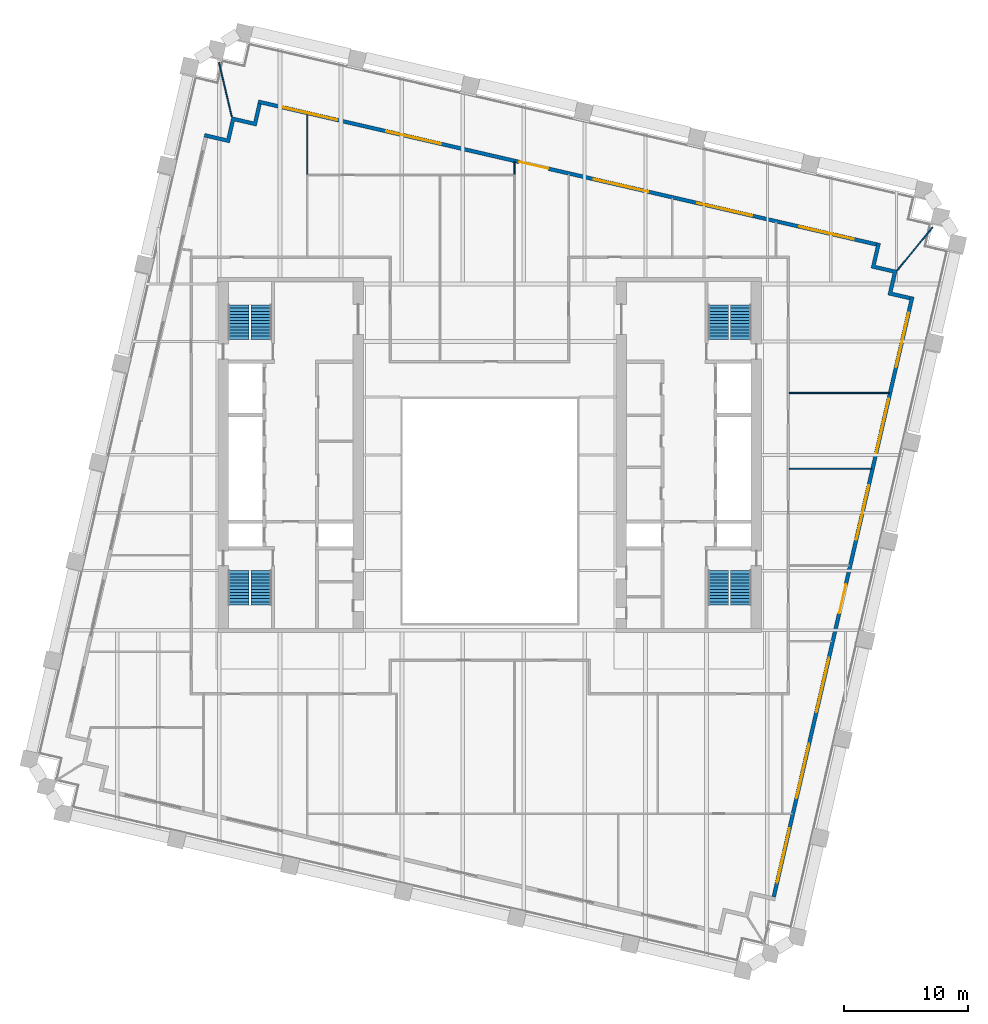
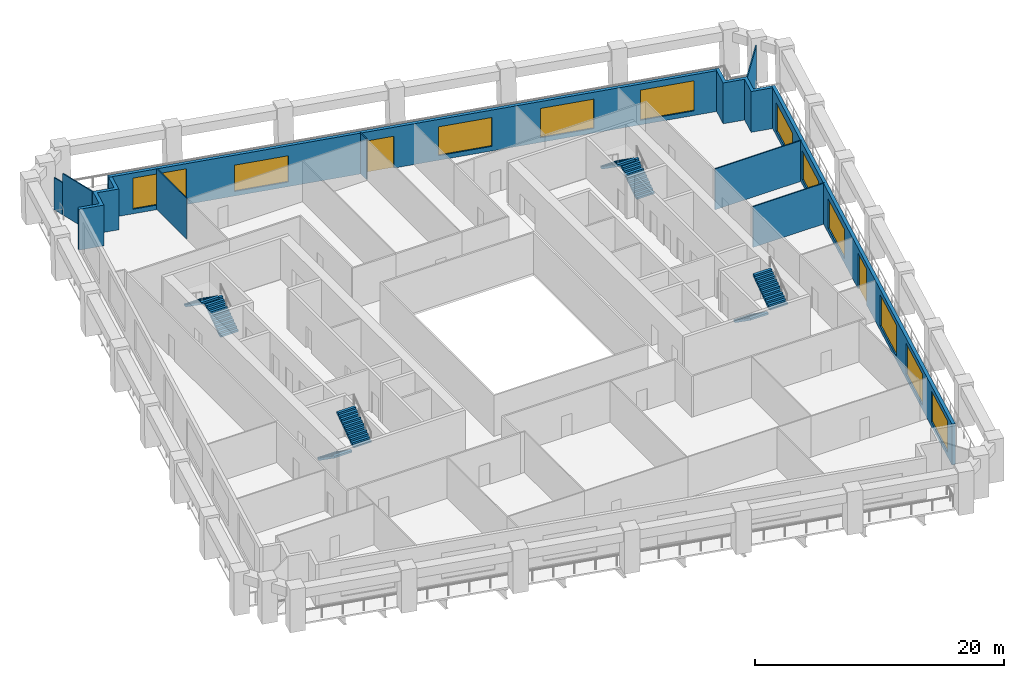
# One storey, part 8 of 9: 11 walls, 11 windows, 8 stair flights, 2 doors, 13 openings, 4 elements without a shape of their own.
"""IFC4 building model written with IfcOpenShell, lengths in metres."""

import ifcopenshell
import ifcopenshell.guid

model = None  # the IFC model being written
_history = None  # IfcOwnerHistory: only IFC2X3 demands one
_inside = {}  # id of a spatial element -> (the spatial element, [elements in it])
_under = {}  # id of a project, library or spatial element -> (it, [spatial elements below it])
_declared = {}  # id of a project -> (the project, [libraries it declares])
_typed = {}  # id of a type object -> (the type object, [elements of that type])
_made_of = {}  # id of a material, layer set ... -> (it, [elements and type objects made of it])


def new_model(schema):
    """Start an empty IFC model of exactly this schema.

    Asked for "IFC4X3", IfcOpenShell would pick the latest addendum, in which some entities
    have other attributes; the version numbers below select the first issue.
    IFC2X3 requires an IfcOwnerHistory on every rooted entity: one is made here for all.
    """
    global model, _history
    if schema == "IFC4X3":
        model = ifcopenshell.file(schema_version=(4, 3, 0, 0))
    else:
        model = ifcopenshell.file(schema=schema)
    _inside.clear()
    _under.clear()
    _declared.clear()
    _typed.clear()
    _made_of.clear()
    _history = None
    if model.schema == "IFC2X3":
        org = make("IfcOrganization", Name="unknown")
        user = make(
            "IfcPersonAndOrganization",
            ThePerson=make("IfcPerson", FamilyName="unknown"),
            TheOrganization=org,
        )
        app = make(
            "IfcApplication",
            ApplicationDeveloper=org,
            Version="unknown",
            ApplicationFullName="unknown",
            ApplicationIdentifier="unknown",
        )
        _history = make(
            "IfcOwnerHistory",
            OwningUser=user,
            OwningApplication=app,
            ChangeAction="ADDED",
            CreationDate=0,
        )
    return model


def make(cls, **values):
    """One entity of the class cls with the attributes given. An attribute that is None is left unset."""
    return model.create_entity(
        cls, **{name: value for name, value in values.items() if value is not None}
    )


def rooted(cls, **values):
    """An entity with a GlobalId (a new one), such as an element, a storey or a relation."""
    return make(cls, GlobalId=ifcopenshell.guid.new(), OwnerHistory=_history, **values)


def si_unit(unit_type, name, prefix=None):
    """IfcSIUnit, for example si_unit("LENGTHUNIT", "METRE", prefix="MILLI")."""
    return make("IfcSIUnit", UnitType=unit_type, Prefix=prefix, Name=name)


def assignment(units):
    """IfcUnitAssignment: the units of a project."""
    return None if units is None else make("IfcUnitAssignment", Units=units)


def point(xyz):
    """IfcCartesianPoint."""
    return None if xyz is None else make("IfcCartesianPoint", Coordinates=xyz)


def direction(xyz):
    """IfcDirection."""
    return None if xyz is None else make("IfcDirection", DirectionRatios=xyz)


def frame(location, z_axis=None, x_axis=None):
    """IfcAxis2Placement3D, a coordinate frame: its origin and axes. An axis left out is left unset."""
    return make(
        "IfcAxis2Placement3D",
        Location=point(location),
        Axis=direction(z_axis),
        RefDirection=direction(x_axis),
    )


def frame_2d(location, x_axis=None):
    """IfcAxis2Placement2D, a coordinate frame in the plane: its origin and x axis."""
    return make(
        "IfcAxis2Placement2D", Location=point(location), RefDirection=direction(x_axis)
    )


def origin():
    """The frame at (0, 0, 0) with its axes left unset."""
    return frame((0.0, 0.0, 0.0))


def place(relative_to, where):
    """IfcLocalPlacement: puts the frame where relative to a parent placement (None: the world)."""
    return make(
        "IfcLocalPlacement", PlacementRelTo=relative_to, RelativePlacement=where
    )


def context(
    kind, dimensions, precision=None, world=None, true_north=None, identifier=None
):
    """IfcGeometricRepresentationContext, for example the 3D "Model" context."""
    return make(
        "IfcGeometricRepresentationContext",
        ContextIdentifier=identifier,
        ContextType=kind,
        CoordinateSpaceDimension=dimensions,
        Precision=precision,
        WorldCoordinateSystem=world,
        TrueNorth=true_north,
    )


def subcontext(parent, identifier, kind, view, scale=None):
    """IfcGeometricRepresentationSubContext, for example "Body" below "Model"."""
    return make(
        "IfcGeometricRepresentationSubContext",
        ContextIdentifier=identifier,
        ContextType=kind,
        ParentContext=parent,
        TargetScale=scale,
        TargetView=view,
    )


def project(units=None, contexts=None):
    """IfcProject with its units and contexts."""
    return rooted(
        "IfcProject",
        Name="project",
        RepresentationContexts=contexts,
        UnitsInContext=assignment(units),
    )


def spatial(cls, under=None, at=None, **own):
    """A site, building, storey or space (cls), placed at a placement, below another one or the project."""
    s = rooted(cls, ObjectPlacement=at, **own)
    if under is not None:
        _under.setdefault(under.id(), (under, []))[1].append(s)
    return s


def polyline(points):
    """IfcPolyline through the points."""
    return make("IfcPolyline", Points=[point(p) for p in points])


def profile(cls, at=None, kind="AREA", **sizes):
    """A parametric profile (cls). Its sizes go by their IFC names, for example OverallWidth=200.0."""
    return make(cls, ProfileType=kind, Position=at, **sizes)


def rectangle(**sizes):
    """IfcRectangleProfileDef."""
    return profile("IfcRectangleProfileDef", **sizes)


def outline(outer, holes=None, kind="AREA"):
    """IfcArbitraryClosedProfileDef: a profile drawn as a closed curve; with holes, ...WithVoids."""
    if holes is None:
        return make("IfcArbitraryClosedProfileDef", ProfileType=kind, OuterCurve=outer)
    return make(
        "IfcArbitraryProfileDefWithVoids",
        ProfileType=kind,
        OuterCurve=outer,
        InnerCurves=holes,
    )


def extrude(swept, where, along, depth):
    """IfcExtrudedAreaSolid: the profile swept, set in the frame where, extruded along a direction by depth."""
    return make(
        "IfcExtrudedAreaSolid",
        SweptArea=swept,
        Position=where,
        ExtrudedDirection=direction(along),
        Depth=depth,
    )


def shape(context_of_items, identifier, shape_type, items):
    """IfcShapeRepresentation: the items that make up one representation, for example the "Body"."""
    return make(
        "IfcShapeRepresentation",
        ContextOfItems=context_of_items,
        RepresentationIdentifier=identifier,
        RepresentationType=shape_type,
        Items=items,
    )


def material(Name=None, Category=None):
    """IfcMaterial."""
    return make("IfcMaterial", Name=Name, Category=Category)


def layer(
    of_material, thickness, ventilated=None, Name=None, Category=None, Priority=None
):
    """IfcMaterialLayer: one layer of a wall or slab, of a material (None: an air gap)."""
    return make(
        "IfcMaterialLayer",
        Material=of_material,
        LayerThickness=thickness,
        IsVentilated=ventilated,
        Name=Name,
        Category=Category,
        Priority=Priority,
    )


def layer_set(layers, Name=None):
    """IfcMaterialLayerSet."""
    return make("IfcMaterialLayerSet", MaterialLayers=layers, LayerSetName=Name)


def made_of(thing, what):
    """Note that an element or type object is made of a material, layer set ...; save() writes the relation."""
    if what is not None:
        _made_of.setdefault(what.id(), (what, []))[1].append(thing)
    return thing


def type_object(cls, material=None, **own):
    """A type object (cls), such as IfcWallType, which elements share."""
    return made_of(rooted(cls, **own), material)


def element(
    cls,
    number,
    at=None,
    inside=None,
    cuts=None,
    type_object=None,
    material=None,
    context=None,
    identifier="Body",
    shape_type=None,
    held_by="IfcProductDefinitionShape",
    body=None,
    shapes=None,
    **own,
):
    """One element of the class cls, such as IfcWall. Its Tag is "e" and its number.

    at: its placement. inside: the storey or other place that contains it. cuts: it is an
    opening in that element (IfcRelVoidsElement). A single representation is given by context,
    identifier, shape_type and body (its items); several are given by shapes. held_by: the class
    of the entity that holds the representations. save() writes the other relations.
    """
    e = rooted(cls, Tag="e%d" % number, ObjectPlacement=at, **own)
    if body is not None:
        shapes = [shape(context, identifier, shape_type, body)]
    if shapes is not None:
        e.Representation = make(held_by, Representations=shapes)
    if inside is not None:
        _inside.setdefault(inside.id(), (inside, []))[1].append(e)
    if cuts is not None:
        rooted(
            "IfcRelVoidsElement", RelatingBuildingElement=cuts, RelatedOpeningElement=e
        )
    if type_object is not None:
        _typed.setdefault(type_object.id(), (type_object, []))[1].append(e)
    return made_of(e, material)


def fill(opening, filler):
    """IfcRelFillsElement: the door or window that sits in an opening."""
    return rooted(
        "IfcRelFillsElement",
        RelatingOpeningElement=opening,
        RelatedBuildingElement=filler,
    )


def aggregate(whole, parts):
    """IfcRelAggregates: a whole, such as a stair, and the parts it consists of."""
    return rooted("IfcRelAggregates", RelatingObject=whole, RelatedObjects=parts)


def save(model, path):
    """Write the relations noted so far, then the file.

    IfcRelAggregates (storeys below a building ...), IfcRelContainedInSpatialStructure (elements
    in a storey), IfcRelDefinesByType, IfcRelAssociatesMaterial and IfcRelDeclares: one each for
    every whole, place, type object, material and project.
    """
    for whole, parts in _under.values():
        aggregate(whole, parts)
    for where, things in _inside.values():
        rooted(
            "IfcRelContainedInSpatialStructure",
            RelatedElements=things,
            RelatingStructure=where,
        )
    for kind, things in _typed.values():
        rooted("IfcRelDefinesByType", RelatedObjects=things, RelatingType=kind)
    for what, things in _made_of.values():
        rooted("IfcRelAssociatesMaterial", RelatedObjects=things, RelatingMaterial=what)
    for by, libraries in _declared.values():
        rooted("IfcRelDeclares", RelatingContext=by, RelatedDefinitions=libraries)
    model.write(path)


model = new_model("IFC4")

# Units and contexts
model_context = context("Model", 3, precision=1e-05, world=origin(), true_north=direction((0.0, 1.0)))
body_context = subcontext(model_context, "Body", "Model", "MODEL_VIEW")
ifc_project = project(units=[si_unit("LENGTHUNIT", "METRE"), si_unit("AREAUNIT", "SQUARE_METRE"), si_unit("VOLUMEUNIT", "CUBIC_METRE"), si_unit("PLANEANGLEUNIT", "RADIAN"), si_unit("MASSUNIT", "GRAM", prefix="KILO")], contexts=[model_context])

# Site, building, storey
site_placement = place(None, origin())
site = spatial("IfcSite", under=ifc_project, at=site_placement, CompositionType="ELEMENT")
building_placement = place(site_placement, origin())
building = spatial("IfcBuilding", under=site, at=building_placement, Name="Ogive Exchange Tower", CompositionType="ELEMENT")
storey_placement = place(building_placement, frame((0.0, 0.0, 126.60009765625)))
storey = spatial("IfcBuildingStorey", under=building, at=storey_placement, Name="L27", CompositionType="ELEMENT", Elevation=126.60009765625)

# Wall, openings, door, windows
ifc_material_1 = material(Name="Precast concrete C40/50", Category="concrete")
ifc_layer_1 = layer(ifc_material_1, 0.300048828125)
ifc_layer_set_1 = layer_set([ifc_layer_1], Name="Limestone-faced wall 300")
wall_type_1 = type_object("IfcWallType", Name="Limestone-faced wall 300", PredefinedType="STANDARD", material=ifc_layer_set_1)
wall_1_placement = place(storey_placement, frame((22.8203125, -24.015625, 0.0), z_axis=(0.0, 0.0, 1.0), x_axis=(0.224953880882, 0.974369412223, 0.0)))
wall_1 = element("IfcWall", 1, at=wall_1_placement, inside=storey, type_object=wall_type_1, Name="External wall E2", PredefinedType="STANDARD", context=body_context, shape_type="SweptSolid", body=[
    extrude(rectangle(XDim=49.500244140625, YDim=0.300048828125, at=frame_2d((24.75, 0.0))), origin(), (0.0, 0.0, 1.0), 4.0),
])
opening_1_placement = place(wall_1_placement, frame((1.156982421875, 0.0, 0.449951171875)))
opening_1 = element("IfcOpeningElement", 2, at=opening_1_placement, cuts=wall_1, Name="Opening W1", PredefinedType="OPENING", context=body_context, shape_type="SweptSolid", body=[
    extrude(rectangle(XDim=4.5, YDim=3.050048828125, at=frame_2d((2.25, 1.52490234375))), frame((0.0, 0.159912109375, 0.0), z_axis=(0.0, -1.0, 0.0), x_axis=(1.0, 0.0, 0.0)), (0.0, 0.0, 1.0), 0.320068359375),
])
opening_2_placement = place(wall_1_placement, frame((8.121337890625, 0.0, 0.449951171875)))
opening_2 = element("IfcOpeningElement", 3, at=opening_2_placement, cuts=wall_1, Name="Opening W1", PredefinedType="OPENING", context=body_context, shape_type="SweptSolid", body=[
    extrude(rectangle(XDim=4.5, YDim=3.050048828125, at=frame_2d((2.25, 1.52490234375))), frame((0.0, 0.159912109375, 0.0), z_axis=(0.0, -1.0, 0.0), x_axis=(1.0, 0.0, 0.0)), (0.0, 0.0, 1.0), 0.320068359375),
])
opening_3_placement = place(wall_1_placement, frame((15.235595703125, 0.0, 0.449951171875)))
opening_3 = element("IfcOpeningElement", 4, at=opening_3_placement, cuts=wall_1, Name="Opening W1", PredefinedType="OPENING", context=body_context, shape_type="SweptSolid", body=[
    extrude(rectangle(XDim=4.5, YDim=3.050048828125, at=frame_2d((2.25, 1.52490234375))), frame((0.0, 0.159912109375, 0.0), z_axis=(0.0, -1.0, 0.0), x_axis=(1.0, 0.0, 0.0)), (0.0, 0.0, 1.0), 0.320068359375),
])
opening_4_placement = place(wall_1_placement, frame((23.39990234375, 0.0, 0.0)))
opening_4 = element("IfcOpeningElement", 5, at=opening_4_placement, cuts=wall_1, Name="Opening D1", PredefinedType="OPENING", context=body_context, shape_type="SweptSolid", body=[
    extrude(rectangle(XDim=2.39990234375, YDim=3.5, at=frame_2d((1.199951171875, 1.75))), frame((0.0, 0.159912109375, 0.0), z_axis=(0.0, -1.0, 0.0), x_axis=(1.0, 0.0, 0.0)), (0.0, 0.0, 1.0), 0.320068359375),
])
opening_5_placement = place(wall_1_placement, frame((29.464111328125, 0.0, 0.449951171875)))
opening_5 = element("IfcOpeningElement", 6, at=opening_5_placement, cuts=wall_1, Name="Opening W1D", PredefinedType="OPENING", context=body_context, shape_type="SweptSolid", body=[
    extrude(rectangle(XDim=4.5, YDim=2.875, at=frame_2d((2.25, 1.4375))), frame((0.0, 0.159912109375, 0.0), z_axis=(0.0, -1.0, 0.0), x_axis=(1.0, 0.0, 0.0)), (0.0, 0.0, 1.0), 0.320068359375),
])
opening_6_placement = place(wall_1_placement, frame((36.57861328125, 0.0, 0.449951171875)))
opening_6 = element("IfcOpeningElement", 7, at=opening_6_placement, cuts=wall_1, Name="Opening W1E", PredefinedType="OPENING", context=body_context, shape_type="SweptSolid", body=[
    extrude(rectangle(XDim=4.5, YDim=2.824951171875, at=frame_2d((2.25, 1.41259765625))), frame((0.0, 0.159912109375, 0.0), z_axis=(0.0, -1.0, 0.0), x_axis=(1.0, 0.0, 0.0)), (0.0, 0.0, 1.0), 0.320068359375),
])
opening_7_placement = place(wall_1_placement, frame((43.69287109375, 0.0, 0.449951171875)))
opening_7 = element("IfcOpeningElement", 8, at=opening_7_placement, cuts=wall_1, Name="Opening W1H", PredefinedType="OPENING", context=body_context, shape_type="SweptSolid", body=[
    extrude(rectangle(XDim=4.5, YDim=2.75, at=frame_2d((2.25, 1.375))), frame((0.0, 0.159912109375, 0.0), z_axis=(0.0, -1.0, 0.0), x_axis=(1.0, 0.0, 0.0)), (0.0, 0.0, 1.0), 0.320068359375),
])
ifc_material_2 = material(Name="Clear glass in bronze frame", Category="glass")
door_type_1 = type_object("IfcDoorType", Name="Sliding loggia door 2400 x 3500", OperationType="DOUBLE_DOOR_SLIDING", PredefinedType="DOOR", material=ifc_material_2)
door_1_placement = place(opening_4_placement, origin())
door_1 = element("IfcDoor", 9, at=door_1_placement, inside=storey, type_object=door_type_1, Name="Loggia door E03", OperationType="DOUBLE_DOOR_SLIDING", OverallHeight=3.5, OverallWidth=2.39990234375, PredefinedType="DOOR", context=body_context, shape_type="SweptSolid", body=[
    extrude(rectangle(XDim=2.39990234375, YDim=3.5, at=frame_2d((1.199951171875, 1.75))), frame((0.0, 0.02490234375, 0.0), z_axis=(0.0, -1.0, 0.0), x_axis=(1.0, 0.0, 0.0)), (0.0, 0.0, 1.0), 0.050048828125),
])
fill(opening_4, door_1)
window_type_1 = type_object("IfcWindowType", Name="Twin lancet window 4500 x 2750", PartitioningType="DOUBLE_PANEL_VERTICAL", PredefinedType="WINDOW", material=ifc_material_2)
window_1_placement = place(opening_7_placement, origin())
window_1 = element("IfcWindow", 10, at=window_1_placement, inside=storey, type_object=window_type_1, Name="Window E06", OverallHeight=2.75, OverallWidth=4.5, PartitioningType="DOUBLE_PANEL_VERTICAL", PredefinedType="WINDOW", context=body_context, shape_type="SweptSolid", body=[
    extrude(rectangle(XDim=4.5, YDim=2.75, at=frame_2d((2.25, 1.375))), frame((0.0, 0.030029296875, 0.0), z_axis=(0.0, -1.0, 0.0), x_axis=(1.0, 0.0, 0.0)), (0.0, 0.0, 1.0), 0.06005859375),
])
fill(opening_7, window_1)
window_type_2 = type_object("IfcWindowType", Name="Twin lancet window 4500 x 2825", PartitioningType="DOUBLE_PANEL_VERTICAL", PredefinedType="WINDOW", material=ifc_material_2)
window_2_placement = place(opening_6_placement, origin())
window_2 = element("IfcWindow", 11, at=window_2_placement, inside=storey, type_object=window_type_2, Name="Window E05", OverallHeight=2.824951171875, OverallWidth=4.5, PartitioningType="DOUBLE_PANEL_VERTICAL", PredefinedType="WINDOW", context=body_context, shape_type="SweptSolid", body=[
    extrude(rectangle(XDim=4.5, YDim=2.824951171875, at=frame_2d((2.25, 1.41259765625))), frame((0.0, 0.030029296875, 0.0), z_axis=(0.0, -1.0, 0.0), x_axis=(1.0, 0.0, 0.0)), (0.0, 0.0, 1.0), 0.06005859375),
])
fill(opening_6, window_2)
window_type_3 = type_object("IfcWindowType", Name="Twin lancet window 4500 x 2875", PartitioningType="DOUBLE_PANEL_VERTICAL", PredefinedType="WINDOW", material=ifc_material_2)
window_3_placement = place(opening_5_placement, origin())
window_3 = element("IfcWindow", 12, at=window_3_placement, inside=storey, type_object=window_type_3, Name="Window E04", OverallHeight=2.875, OverallWidth=4.5, PartitioningType="DOUBLE_PANEL_VERTICAL", PredefinedType="WINDOW", context=body_context, shape_type="SweptSolid", body=[
    extrude(rectangle(XDim=4.5, YDim=2.875, at=frame_2d((2.25, 1.4375))), frame((0.0, 0.030029296875, 0.0), z_axis=(0.0, -1.0, 0.0), x_axis=(1.0, 0.0, 0.0)), (0.0, 0.0, 1.0), 0.06005859375),
])
fill(opening_5, window_3)
window_type_4 = type_object("IfcWindowType", Name="Twin lancet window 4500 x 3050", PartitioningType="DOUBLE_PANEL_VERTICAL", PredefinedType="WINDOW", material=ifc_material_2)
window_4_placement = place(opening_1_placement, origin())
window_4 = element("IfcWindow", 13, at=window_4_placement, inside=storey, type_object=window_type_4, Name="Window E00", OverallHeight=3.050048828125, OverallWidth=4.5, PartitioningType="DOUBLE_PANEL_VERTICAL", PredefinedType="WINDOW", context=body_context, shape_type="SweptSolid", body=[
    extrude(rectangle(XDim=4.5, YDim=3.050048828125, at=frame_2d((2.25, 1.52490234375))), frame((0.0, 0.030029296875, 0.0), z_axis=(0.0, -1.0, 0.0), x_axis=(1.0, 0.0, 0.0)), (0.0, 0.0, 1.0), 0.06005859375),
])
fill(opening_1, window_4)
window_5_placement = place(opening_2_placement, origin())
window_5 = element("IfcWindow", 14, at=window_5_placement, inside=storey, type_object=window_type_4, Name="Window E01", OverallHeight=3.050048828125, OverallWidth=4.5, PartitioningType="DOUBLE_PANEL_VERTICAL", PredefinedType="WINDOW", context=body_context, shape_type="SweptSolid", body=[
    extrude(rectangle(XDim=4.5, YDim=3.050048828125, at=frame_2d((2.25, 1.52490234375))), frame((0.0, 0.030029296875, 0.0), z_axis=(0.0, -1.0, 0.0), x_axis=(1.0, 0.0, 0.0)), (0.0, 0.0, 1.0), 0.06005859375),
])
fill(opening_2, window_5)
window_6_placement = place(opening_3_placement, origin())
window_6 = element("IfcWindow", 15, at=window_6_placement, inside=storey, type_object=window_type_4, Name="Window E02", OverallHeight=3.050048828125, OverallWidth=4.5, PartitioningType="DOUBLE_PANEL_VERTICAL", PredefinedType="WINDOW", context=body_context, shape_type="SweptSolid", body=[
    extrude(rectangle(XDim=4.5, YDim=3.050048828125, at=frame_2d((2.25, 1.52490234375))), frame((0.0, 0.030029296875, 0.0), z_axis=(0.0, -1.0, 0.0), x_axis=(1.0, 0.0, 0.0)), (0.0, 0.0, 1.0), 0.06005859375),
])
fill(opening_3, window_6)

wall_2_placement = place(storey_placement, frame((31.07763671875, 28.4208984375, 0.0), z_axis=(0.0, 0.0, 1.0), x_axis=(-0.974370456532, 0.224949357493, 0.0)))
wall_2 = element("IfcWall", 16, at=wall_2_placement, inside=storey, type_object=wall_type_1, Name="External wall N3", PredefinedType="STANDARD", context=body_context, shape_type="SweptSolid", body=[
    extrude(rectangle(XDim=51.0, YDim=0.300048828125, at=frame_2d((25.5, 0.0))), origin(), (0.0, 0.0, 1.0), 4.0),
])
opening_8_placement = place(wall_2_placement, frame((1.875, 0.0, 0.449951171875)))
opening_8 = element("IfcOpeningElement", 17, at=opening_8_placement, cuts=wall_2, Name="Opening W1B", PredefinedType="OPENING", context=body_context, shape_type="SweptSolid", body=[
    extrude(rectangle(XDim=4.5, YDim=2.949951171875, at=frame_2d((2.25, 1.47509765625))), frame((0.0, 0.159912109375, 0.0), z_axis=(0.0, -1.0, 0.0), x_axis=(1.0, 0.0, 0.0)), (0.0, 0.0, 1.0), 0.320068359375),
])
opening_9_placement = place(wall_2_placement, frame((10.27490234375, 0.0, 0.449951171875)))
opening_9 = element("IfcOpeningElement", 18, at=opening_9_placement, cuts=wall_2, Name="Opening W1D", PredefinedType="OPENING", context=body_context, shape_type="SweptSolid", body=[
    extrude(rectangle(XDim=4.5, YDim=2.875, at=frame_2d((2.25, 1.4375))), frame((0.0, 0.159912109375, 0.0), z_axis=(0.0, -1.0, 0.0), x_axis=(1.0, 0.0, 0.0)), (0.0, 0.0, 1.0), 0.320068359375),
])
opening_10_placement = place(wall_2_placement, frame((18.824951171875, 0.0, 0.449951171875)))
opening_10 = element("IfcOpeningElement", 19, at=opening_10_placement, cuts=wall_2, Name="Opening W1E", PredefinedType="OPENING", context=body_context, shape_type="SweptSolid", body=[
    extrude(rectangle(XDim=4.5, YDim=2.824951171875, at=frame_2d((2.25, 1.41259765625))), frame((0.0, 0.159912109375, 0.0), z_axis=(0.0, -1.0, 0.0), x_axis=(1.0, 0.0, 0.0)), (0.0, 0.0, 1.0), 0.320068359375),
])
opening_11_placement = place(wall_2_placement, frame((27.074951171875, 0.0, 0.0)))
opening_11 = element("IfcOpeningElement", 20, at=opening_11_placement, cuts=wall_2, Name="Opening D1J", PredefinedType="OPENING", context=body_context, shape_type="SweptSolid", body=[
    extrude(rectangle(XDim=2.39990234375, YDim=3.125, at=frame_2d((1.199951171875, 1.5625))), frame((0.0, 0.159912109375, 0.0), z_axis=(0.0, -1.0, 0.0), x_axis=(1.0, 0.0, 0.0)), (0.0, 0.0, 1.0), 0.320068359375),
])
opening_12_placement = place(wall_2_placement, frame((35.925048828125, 0.0, 0.449951171875)))
opening_12 = element("IfcOpeningElement", 21, at=opening_12_placement, cuts=wall_2, Name="Opening W1M", PredefinedType="OPENING", context=body_context, shape_type="SweptSolid", body=[
    extrude(rectangle(XDim=4.5, YDim=2.574951171875, at=frame_2d((2.25, 1.28759765625))), frame((0.0, 0.159912109375, 0.0), z_axis=(0.0, -1.0, 0.0), x_axis=(1.0, 0.0, 0.0)), (0.0, 0.0, 1.0), 0.320068359375),
])
opening_13_placement = place(wall_2_placement, frame((44.47509765625, 0.0, 0.449951171875)))
opening_13 = element("IfcOpeningElement", 22, at=opening_13_placement, cuts=wall_2, Name="Opening W1", PredefinedType="OPENING", context=body_context, shape_type="SweptSolid", body=[
    extrude(rectangle(XDim=4.5, YDim=3.050048828125, at=frame_2d((2.25, 1.52490234375))), frame((0.0, 0.159912109375, 0.0), z_axis=(0.0, -1.0, 0.0), x_axis=(1.0, 0.0, 0.0)), (0.0, 0.0, 1.0), 0.320068359375),
])
door_type_2 = type_object("IfcDoorType", Name="Sliding loggia door 2400 x 3125", OperationType="DOUBLE_DOOR_SLIDING", PredefinedType="DOOR", material=ifc_material_2)
door_2_placement = place(opening_11_placement, origin())
door_2 = element("IfcDoor", 23, at=door_2_placement, inside=storey, type_object=door_type_2, Name="Loggia door N03", OperationType="DOUBLE_DOOR_SLIDING", OverallHeight=3.125, OverallWidth=2.39990234375, PredefinedType="DOOR", context=body_context, shape_type="SweptSolid", body=[
    extrude(rectangle(XDim=2.39990234375, YDim=3.125, at=frame_2d((1.199951171875, 1.5625))), frame((0.0, 0.02490234375, 0.0), z_axis=(0.0, -1.0, 0.0), x_axis=(1.0, 0.0, 0.0)), (0.0, 0.0, 1.0), 0.050048828125),
])
fill(opening_11, door_2)
window_type_5 = type_object("IfcWindowType", Name="Twin lancet window 4500 x 2575", PartitioningType="DOUBLE_PANEL_VERTICAL", PredefinedType="WINDOW", material=ifc_material_2)
window_7_placement = place(opening_12_placement, origin())
window_7 = element("IfcWindow", 24, at=window_7_placement, inside=storey, type_object=window_type_5, Name="Window N04", OverallHeight=2.574951171875, OverallWidth=4.5, PartitioningType="DOUBLE_PANEL_VERTICAL", PredefinedType="WINDOW", context=body_context, shape_type="SweptSolid", body=[
    extrude(rectangle(XDim=4.5, YDim=2.574951171875, at=frame_2d((2.25, 1.28759765625))), frame((0.0, 0.030029296875, 0.0), z_axis=(0.0, -1.0, 0.0), x_axis=(1.0, 0.0, 0.0)), (0.0, 0.0, 1.0), 0.06005859375),
])
fill(opening_12, window_7)
window_8_placement = place(opening_10_placement, origin())
window_8 = element("IfcWindow", 25, at=window_8_placement, inside=storey, type_object=window_type_2, Name="Window N02", OverallHeight=2.824951171875, OverallWidth=4.5, PartitioningType="DOUBLE_PANEL_VERTICAL", PredefinedType="WINDOW", context=body_context, shape_type="SweptSolid", body=[
    extrude(rectangle(XDim=4.5, YDim=2.824951171875, at=frame_2d((2.25, 1.41259765625))), frame((0.0, 0.030029296875, 0.0), z_axis=(0.0, -1.0, 0.0), x_axis=(1.0, 0.0, 0.0)), (0.0, 0.0, 1.0), 0.06005859375),
])
fill(opening_10, window_8)
window_9_placement = place(opening_9_placement, origin())
window_9 = element("IfcWindow", 26, at=window_9_placement, inside=storey, type_object=window_type_3, Name="Window N01", OverallHeight=2.875, OverallWidth=4.5, PartitioningType="DOUBLE_PANEL_VERTICAL", PredefinedType="WINDOW", context=body_context, shape_type="SweptSolid", body=[
    extrude(rectangle(XDim=4.5, YDim=2.875, at=frame_2d((2.25, 1.4375))), frame((0.0, 0.030029296875, 0.0), z_axis=(0.0, -1.0, 0.0), x_axis=(1.0, 0.0, 0.0)), (0.0, 0.0, 1.0), 0.06005859375),
])
fill(opening_9, window_9)
window_type_6 = type_object("IfcWindowType", Name="Twin lancet window 4500 x 2950", PartitioningType="DOUBLE_PANEL_VERTICAL", PredefinedType="WINDOW", material=ifc_material_2)
window_10_placement = place(opening_8_placement, origin())
window_10 = element("IfcWindow", 27, at=window_10_placement, inside=storey, type_object=window_type_6, Name="Window N00", OverallHeight=2.949951171875, OverallWidth=4.5, PartitioningType="DOUBLE_PANEL_VERTICAL", PredefinedType="WINDOW", context=body_context, shape_type="SweptSolid", body=[
    extrude(rectangle(XDim=4.5, YDim=2.949951171875, at=frame_2d((2.25, 1.47509765625))), frame((0.0, 0.030029296875, 0.0), z_axis=(0.0, -1.0, 0.0), x_axis=(1.0, 0.0, 0.0)), (0.0, 0.0, 1.0), 0.06005859375),
])
fill(opening_8, window_10)
window_11_placement = place(opening_13_placement, origin())
window_11 = element("IfcWindow", 28, at=window_11_placement, inside=storey, type_object=window_type_4, Name="Window N05", OverallHeight=3.050048828125, OverallWidth=4.5, PartitioningType="DOUBLE_PANEL_VERTICAL", PredefinedType="WINDOW", context=body_context, shape_type="SweptSolid", body=[
    extrude(rectangle(XDim=4.5, YDim=3.050048828125, at=frame_2d((2.25, 1.52490234375))), frame((0.0, 0.030029296875, 0.0), z_axis=(0.0, -1.0, 0.0), x_axis=(1.0, 0.0, 0.0)), (0.0, 0.0, 1.0), 0.06005859375),
])
fill(opening_13, window_11)

# Walls
wall_3_placement = place(storey_placement, origin())
element("IfcWall", 29, at=wall_3_placement, inside=storey, type_object=wall_type_1, Name="External corner wall C2", PredefinedType="STANDARD", context=body_context, shape_type="SweptSolid", body=[
    extrude(outline(polyline([(32.392822265625, 26.115966796875), (30.638916015625, 26.52099609375), (31.111328125, 28.56689453125), (31.40380859375, 28.49951171875), (30.998779296875, 26.74560546875), (32.752685546875, 26.3408203125), (32.34765625, 24.5869140625), (33.809326171875, 24.24951171875), (33.74169921875, 23.957275390625), (31.98779296875, 24.362060546875), (32.392822265625, 26.115966796875)])), origin(), (0.0, 0.0, 1.0), 4.0),
])
wall_4_placement = place(storey_placement, origin())
element("IfcWall", 30, at=wall_4_placement, inside=storey, type_object=wall_type_1, Name="External corner wall C3", PredefinedType="STANDARD", context=body_context, shape_type="SweptSolid", body=[
    extrude(outline(polyline([(-22.966552734375, 37.04931640625), (-22.89892578125, 37.341552734375), (-21.145263671875, 36.936767578125), (-20.740234375, 38.690673828125), (-18.986328125, 38.28564453125), (-18.64892578125, 39.747314453125), (-18.356689453125, 39.6796875), (-18.76171875, 37.92578125), (-20.515380859375, 38.330810546875), (-20.92041015625, 36.576904296875), (-22.966552734375, 37.04931640625)])), origin(), (0.0, 0.0, 1.0), 4.0),
])
ifc_material_3 = material(Name="Laminated safety glass in steel frame", Category="steel")
ifc_layer_2 = layer(ifc_material_3, 0.10009765625)
ifc_layer_set_2 = layer_set([ifc_layer_2], Name="Loggia end screen 100")
wall_type_2 = type_object("IfcWallType", Name="Loggia end screen 100", PredefinedType="STANDARD", material=ifc_layer_set_2)
wall_5_placement = place(storey_placement, frame((32.752685546875, 26.3408203125, -0.050048828125), z_axis=(0.0, 0.0, 1.0), x_axis=(0.63347537835, 0.773762848051, 0.0)))
element("IfcWall", 31, at=wall_5_placement, inside=storey, type_object=wall_type_2, Name="Loggia end screen C2", PredefinedType="STANDARD", context=body_context, shape_type="SweptSolid", body=[
    extrude(rectangle(XDim=4.47607421875, YDim=0.10009765625, at=frame_2d((2.238037109375, 0.0))), origin(), (0.0, 0.0, 1.0), 4.050048828125),
])
wall_6_placement = place(storey_placement, frame((-20.740234375, 38.690673828125, -0.050048828125), z_axis=(0.0, 0.0, 1.0), x_axis=(-0.23016174079, 0.973152389442, 0.0)))
element("IfcWall", 32, at=wall_6_placement, inside=storey, type_object=wall_type_2, Name="Loggia end screen C3", PredefinedType="STANDARD", context=body_context, shape_type="SweptSolid", body=[
    extrude(rectangle(XDim=3.454833984375, YDim=0.10009765625, at=frame_2d((1.7275390625, 0.0))), origin(), (0.0, 0.0, 1.0), 4.050048828125),
])
wall_7_placement = place(storey_placement, frame((-21.535400390625, 42.052734375, -0.050048828125), z_axis=(0.0, 0.0, 1.0), x_axis=(-0.230198333565, 0.973143734103, 0.0)))
element("IfcWall", 33, at=wall_7_placement, inside=storey, type_object=wall_type_2, Name="Loggia end screen C3", PredefinedType="STANDARD", context=body_context, shape_type="SweptSolid", body=[
    extrude(rectangle(XDim=1.021240234375, YDim=0.10009765625, at=frame_2d((0.5107421875, 0.0))), origin(), (0.0, 0.0, 1.0), 3.14599609375),
])
ifc_material_4 = material(Name="Partition 100 gypsum")
ifc_layer_3 = layer(ifc_material_4, 0.10009765625)
ifc_layer_set_3 = layer_set([ifc_layer_3], Name="Partition 100 gypsum")
wall_type_3 = type_object("IfcWallType", Name="Partition 100 gypsum", PredefinedType="PARTITIONING", material=ifc_layer_set_3)
wall_8_placement = place(storey_placement, frame((-14.669921875, 34.050048828125, 0.0), z_axis=(0.0, 0.0, 1.0), x_axis=(0.0, 1.0, 0.0)))
element("IfcWall", 34, at=wall_8_placement, inside=storey, type_object=wall_type_3, Name="L27-PWL-020", PredefinedType="PARTITIONING", context=body_context, shape_type="SweptSolid", body=[
    extrude(rectangle(XDim=4.86083984375, YDim=0.10009765625, at=frame_2d((2.430419921875, 0.0))), origin(), (0.0, 0.0, 1.0), 4.0),
])
wall_9_placement = place(storey_placement, frame((1.989990234375, 35.06494140625, 0.0), z_axis=(0.0, 0.0, 1.0), x_axis=(0.0, -1.0, 0.0)))
element("IfcWall", 35, at=wall_9_placement, inside=storey, type_object=wall_type_3, Name="L27-PWL-037", PredefinedType="PARTITIONING", context=body_context, shape_type="SweptSolid", body=[
    extrude(rectangle(XDim=1.014892578125, YDim=0.10009765625, at=frame_2d((0.50732421875, 0.0))), origin(), (0.0, 0.0, 1.0), 4.0),
])
wall_10_placement = place(storey_placement, frame((24.074951171875, 10.389892578125, 0.0), z_axis=(0.0, 0.0, 1.0), x_axis=(1.0, 0.0, 0.0)))
element("IfcWall", 36, at=wall_10_placement, inside=storey, type_object=wall_type_3, Name="L27-PWL-062", PredefinedType="PARTITIONING", context=body_context, shape_type="SweptSolid", body=[
    extrude(rectangle(XDim=6.616943359375, YDim=0.10009765625, at=frame_2d((3.30859375, 0.0))), origin(), (0.0, 0.0, 1.0), 4.0),
])
wall_11_placement = place(storey_placement, frame((24.074951171875, 16.47998046875, 0.0), z_axis=(0.0, 0.0, 1.0), x_axis=(1.0, 0.0, 0.0)))
element("IfcWall", 37, at=wall_11_placement, inside=storey, type_object=wall_type_3, Name="L27-PWL-064", PredefinedType="PARTITIONING", context=body_context, shape_type="SweptSolid", body=[
    extrude(rectangle(XDim=8.02294921875, YDim=0.10009765625, at=frame_2d((4.011474609375, 0.0))), origin(), (0.0, 0.0, 1.0), 4.0),
])

# Stair, stair flights
ifc_material_5 = material(Name="Concrete C40/50", Category="concrete")
stair_type = type_object("IfcStairType", Name="Exit stair 1650 wide", PredefinedType="HALF_TURN_STAIR", material=ifc_material_5)
stair_1_placement = place(storey_placement, origin())
stair_1 = element("IfcStair", 38, at=stair_1_placement, inside=storey, type_object=stair_type, Name="L27 exit stair ST1", PredefinedType="HALF_TURN_STAIR")
stair_flight_type = type_object("IfcStairFlightType", Name="Stair flight 1650 wide", PredefinedType="STRAIGHT", material=ifc_material_5)
stair_flight_1_placement = place(storey_placement, frame((-20.175048828125, 2.199951171875, 0.0), z_axis=(0.0, 0.0, 1.0), x_axis=(0.0, -1.0, 0.0)))
stair_flight_1 = element("IfcStairFlight", 39, at=stair_flight_1_placement, type_object=stair_flight_type, Name="ST1 flight 1", NumberOfRisers=12, NumberOfTreads=11, PredefinedType="STRAIGHT", RiserHeight=0.175, TreadLength=0.25, context=body_context, shape_type="SweptSolid", body=[
    extrude(outline(polyline([(0.0, 0.0), (0.0, 0.175048828125), (0.25, 0.175048828125), (0.25, 0.35009765625), (0.5, 0.35009765625), (0.5, 0.52490234375), (0.75, 0.52490234375), (0.75, 0.699951171875), (1.0, 0.699951171875), (1.0, 0.875), (1.25, 0.875), (1.25, 1.050048828125), (1.5, 1.050048828125), (1.5, 1.22509765625), (1.75, 1.22509765625), (1.75, 1.39990234375), (2.0, 1.39990234375), (2.0, 1.574951171875), (2.25, 1.574951171875), (2.25, 1.75), (2.5, 1.75), (2.5, 1.925048828125), (2.75, 1.925048828125), (2.75, 2.10009765625), (2.75, 1.741943359375), (0.261474609375, 0.0), (0.0, 0.0)])), frame((0.0, 0.824951171875, 0.0), z_axis=(0.0, -1.0, 0.0), x_axis=(1.0, 0.0, 0.0)), (0.0, 0.0, 1.0), 1.64990234375),
])
stair_flight_2_placement = place(storey_placement, frame((-18.375, -0.550048828125, 2.099853515625), z_axis=(0.0, 0.0, 1.0), x_axis=(0.0, 1.0, 0.0)))
stair_flight_2 = element("IfcStairFlight", 40, at=stair_flight_2_placement, type_object=stair_flight_type, Name="ST1 flight 2", NumberOfRisers=12, NumberOfTreads=11, PredefinedType="STRAIGHT", RiserHeight=0.175, TreadLength=0.25, context=body_context, shape_type="SweptSolid", body=[
    extrude(outline(polyline([(0.0, 0.0), (0.0, 0.175048828125), (0.25, 0.175048828125), (0.25, 0.35009765625), (0.5, 0.35009765625), (0.5, 0.52490234375), (0.75, 0.52490234375), (0.75, 0.699951171875), (1.0, 0.699951171875), (1.0, 0.875), (1.25, 0.875), (1.25, 1.050048828125), (1.5, 1.050048828125), (1.5, 1.22509765625), (1.75, 1.22509765625), (1.75, 1.39990234375), (2.0, 1.39990234375), (2.0, 1.574951171875), (2.25, 1.574951171875), (2.25, 1.75), (2.5, 1.75), (2.5, 1.925048828125), (2.75, 1.925048828125), (2.75, 2.10009765625), (2.75, 1.741943359375), (0.261474609375, 0.0), (0.0, 0.0)])), frame((0.0, 0.824951171875, 0.0), z_axis=(0.0, -1.0, 0.0), x_axis=(1.0, 0.0, 0.0)), (0.0, 0.0, 1.0), 1.64990234375),
])
aggregate(stair_1, [stair_flight_1, stair_flight_2])

stair_2_placement = place(storey_placement, origin())
stair_2 = element("IfcStair", 41, at=stair_2_placement, inside=storey, type_object=stair_type, Name="L27 exit stair ST2", PredefinedType="HALF_TURN_STAIR")
stair_flight_3_placement = place(storey_placement, frame((-18.375, 20.800048828125, 0.0), z_axis=(0.0, 0.0, 1.0), x_axis=(0.0, 1.0, 0.0)))
stair_flight_3 = element("IfcStairFlight", 42, at=stair_flight_3_placement, type_object=stair_flight_type, Name="ST2 flight 1", NumberOfRisers=12, NumberOfTreads=11, PredefinedType="STRAIGHT", RiserHeight=0.175, TreadLength=0.25, context=body_context, shape_type="SweptSolid", body=[
    extrude(outline(polyline([(0.0, 0.0), (0.0, 0.175048828125), (0.25, 0.175048828125), (0.25, 0.35009765625), (0.5, 0.35009765625), (0.5, 0.52490234375), (0.75, 0.52490234375), (0.75, 0.699951171875), (1.0, 0.699951171875), (1.0, 0.875), (1.25, 0.875), (1.25, 1.050048828125), (1.5, 1.050048828125), (1.5, 1.22509765625), (1.75, 1.22509765625), (1.75, 1.39990234375), (2.0, 1.39990234375), (2.0, 1.574951171875), (2.25, 1.574951171875), (2.25, 1.75), (2.5, 1.75), (2.5, 1.925048828125), (2.75, 1.925048828125), (2.75, 2.10009765625), (2.75, 1.741943359375), (0.261474609375, 0.0), (0.0, 0.0)])), frame((0.0, 0.824951171875, 0.0), z_axis=(0.0, -1.0, 0.0), x_axis=(1.0, 0.0, 0.0)), (0.0, 0.0, 1.0), 1.64990234375),
])
stair_flight_4_placement = place(storey_placement, frame((-20.175048828125, 23.550048828125, 2.099853515625), z_axis=(0.0, 0.0, 1.0), x_axis=(0.0, -1.0, 0.0)))
stair_flight_4 = element("IfcStairFlight", 43, at=stair_flight_4_placement, type_object=stair_flight_type, Name="ST2 flight 2", NumberOfRisers=12, NumberOfTreads=11, PredefinedType="STRAIGHT", RiserHeight=0.175, TreadLength=0.25, context=body_context, shape_type="SweptSolid", body=[
    extrude(outline(polyline([(0.0, 0.0), (0.0, 0.175048828125), (0.25, 0.175048828125), (0.25, 0.35009765625), (0.5, 0.35009765625), (0.5, 0.52490234375), (0.75, 0.52490234375), (0.75, 0.699951171875), (1.0, 0.699951171875), (1.0, 0.875), (1.25, 0.875), (1.25, 1.050048828125), (1.5, 1.050048828125), (1.5, 1.22509765625), (1.75, 1.22509765625), (1.75, 1.39990234375), (2.0, 1.39990234375), (2.0, 1.574951171875), (2.25, 1.574951171875), (2.25, 1.75), (2.5, 1.75), (2.5, 1.925048828125), (2.75, 1.925048828125), (2.75, 2.10009765625), (2.75, 1.741943359375), (0.261474609375, 0.0), (0.0, 0.0)])), frame((0.0, 0.824951171875, 0.0), z_axis=(0.0, -1.0, 0.0), x_axis=(1.0, 0.0, 0.0)), (0.0, 0.0, 1.0), 1.64990234375),
])
aggregate(stair_2, [stair_flight_3, stair_flight_4])

stair_3_placement = place(storey_placement, origin())
stair_3 = element("IfcStair", 44, at=stair_3_placement, inside=storey, type_object=stair_type, Name="L27 exit stair ST3", PredefinedType="HALF_TURN_STAIR")
stair_flight_5_placement = place(storey_placement, frame((18.375, 2.199951171875, 0.0), z_axis=(0.0, 0.0, 1.0), x_axis=(0.0, -1.0, 0.0)))
stair_flight_5 = element("IfcStairFlight", 45, at=stair_flight_5_placement, type_object=stair_flight_type, Name="ST3 flight 1", NumberOfRisers=12, NumberOfTreads=11, PredefinedType="STRAIGHT", RiserHeight=0.175, TreadLength=0.25, context=body_context, shape_type="SweptSolid", body=[
    extrude(outline(polyline([(0.0, 0.0), (0.0, 0.175048828125), (0.25, 0.175048828125), (0.25, 0.35009765625), (0.5, 0.35009765625), (0.5, 0.52490234375), (0.75, 0.52490234375), (0.75, 0.699951171875), (1.0, 0.699951171875), (1.0, 0.875), (1.25, 0.875), (1.25, 1.050048828125), (1.5, 1.050048828125), (1.5, 1.22509765625), (1.75, 1.22509765625), (1.75, 1.39990234375), (2.0, 1.39990234375), (2.0, 1.574951171875), (2.25, 1.574951171875), (2.25, 1.75), (2.5, 1.75), (2.5, 1.925048828125), (2.75, 1.925048828125), (2.75, 2.10009765625), (2.75, 1.741943359375), (0.261474609375, 0.0), (0.0, 0.0)])), frame((0.0, 0.824951171875, 0.0), z_axis=(0.0, -1.0, 0.0), x_axis=(1.0, 0.0, 0.0)), (0.0, 0.0, 1.0), 1.64990234375),
])
stair_flight_6_placement = place(storey_placement, frame((20.175048828125, -0.550048828125, 2.099853515625), z_axis=(0.0, 0.0, 1.0), x_axis=(0.0, 1.0, 0.0)))
stair_flight_6 = element("IfcStairFlight", 46, at=stair_flight_6_placement, type_object=stair_flight_type, Name="ST3 flight 2", NumberOfRisers=12, NumberOfTreads=11, PredefinedType="STRAIGHT", RiserHeight=0.175, TreadLength=0.25, context=body_context, shape_type="SweptSolid", body=[
    extrude(outline(polyline([(0.0, 0.0), (0.0, 0.175048828125), (0.25, 0.175048828125), (0.25, 0.35009765625), (0.5, 0.35009765625), (0.5, 0.52490234375), (0.75, 0.52490234375), (0.75, 0.699951171875), (1.0, 0.699951171875), (1.0, 0.875), (1.25, 0.875), (1.25, 1.050048828125), (1.5, 1.050048828125), (1.5, 1.22509765625), (1.75, 1.22509765625), (1.75, 1.39990234375), (2.0, 1.39990234375), (2.0, 1.574951171875), (2.25, 1.574951171875), (2.25, 1.75), (2.5, 1.75), (2.5, 1.925048828125), (2.75, 1.925048828125), (2.75, 2.10009765625), (2.75, 1.741943359375), (0.261474609375, 0.0), (0.0, 0.0)])), frame((0.0, 0.824951171875, 0.0), z_axis=(0.0, -1.0, 0.0), x_axis=(1.0, 0.0, 0.0)), (0.0, 0.0, 1.0), 1.64990234375),
])
aggregate(stair_3, [stair_flight_5, stair_flight_6])

stair_4_placement = place(storey_placement, origin())
stair_4 = element("IfcStair", 47, at=stair_4_placement, inside=storey, type_object=stair_type, Name="L27 exit stair ST4", PredefinedType="HALF_TURN_STAIR")
stair_flight_7_placement = place(storey_placement, frame((20.175048828125, 20.800048828125, 0.0), z_axis=(0.0, 0.0, 1.0), x_axis=(0.0, 1.0, 0.0)))
stair_flight_7 = element("IfcStairFlight", 48, at=stair_flight_7_placement, type_object=stair_flight_type, Name="ST4 flight 1", NumberOfRisers=12, NumberOfTreads=11, PredefinedType="STRAIGHT", RiserHeight=0.175, TreadLength=0.25, context=body_context, shape_type="SweptSolid", body=[
    extrude(outline(polyline([(0.0, 0.0), (0.0, 0.175048828125), (0.25, 0.175048828125), (0.25, 0.35009765625), (0.5, 0.35009765625), (0.5, 0.52490234375), (0.75, 0.52490234375), (0.75, 0.699951171875), (1.0, 0.699951171875), (1.0, 0.875), (1.25, 0.875), (1.25, 1.050048828125), (1.5, 1.050048828125), (1.5, 1.22509765625), (1.75, 1.22509765625), (1.75, 1.39990234375), (2.0, 1.39990234375), (2.0, 1.574951171875), (2.25, 1.574951171875), (2.25, 1.75), (2.5, 1.75), (2.5, 1.925048828125), (2.75, 1.925048828125), (2.75, 2.10009765625), (2.75, 1.741943359375), (0.261474609375, 0.0), (0.0, 0.0)])), frame((0.0, 0.824951171875, 0.0), z_axis=(0.0, -1.0, 0.0), x_axis=(1.0, 0.0, 0.0)), (0.0, 0.0, 1.0), 1.64990234375),
])
stair_flight_8_placement = place(storey_placement, frame((18.375, 23.550048828125, 2.099853515625), z_axis=(0.0, 0.0, 1.0), x_axis=(0.0, -1.0, 0.0)))
stair_flight_8 = element("IfcStairFlight", 49, at=stair_flight_8_placement, type_object=stair_flight_type, Name="ST4 flight 2", NumberOfRisers=12, NumberOfTreads=11, PredefinedType="STRAIGHT", RiserHeight=0.175, TreadLength=0.25, context=body_context, shape_type="SweptSolid", body=[
    extrude(outline(polyline([(0.0, 0.0), (0.0, 0.175048828125), (0.25, 0.175048828125), (0.25, 0.35009765625), (0.5, 0.35009765625), (0.5, 0.52490234375), (0.75, 0.52490234375), (0.75, 0.699951171875), (1.0, 0.699951171875), (1.0, 0.875), (1.25, 0.875), (1.25, 1.050048828125), (1.5, 1.050048828125), (1.5, 1.22509765625), (1.75, 1.22509765625), (1.75, 1.39990234375), (2.0, 1.39990234375), (2.0, 1.574951171875), (2.25, 1.574951171875), (2.25, 1.75), (2.5, 1.75), (2.5, 1.925048828125), (2.75, 1.925048828125), (2.75, 2.10009765625), (2.75, 1.741943359375), (0.261474609375, 0.0), (0.0, 0.0)])), frame((0.0, 0.824951171875, 0.0), z_axis=(0.0, -1.0, 0.0), x_axis=(1.0, 0.0, 0.0)), (0.0, 0.0, 1.0), 1.64990234375),
])
aggregate(stair_4, [stair_flight_7, stair_flight_8])

save(model, "model.ifc")
